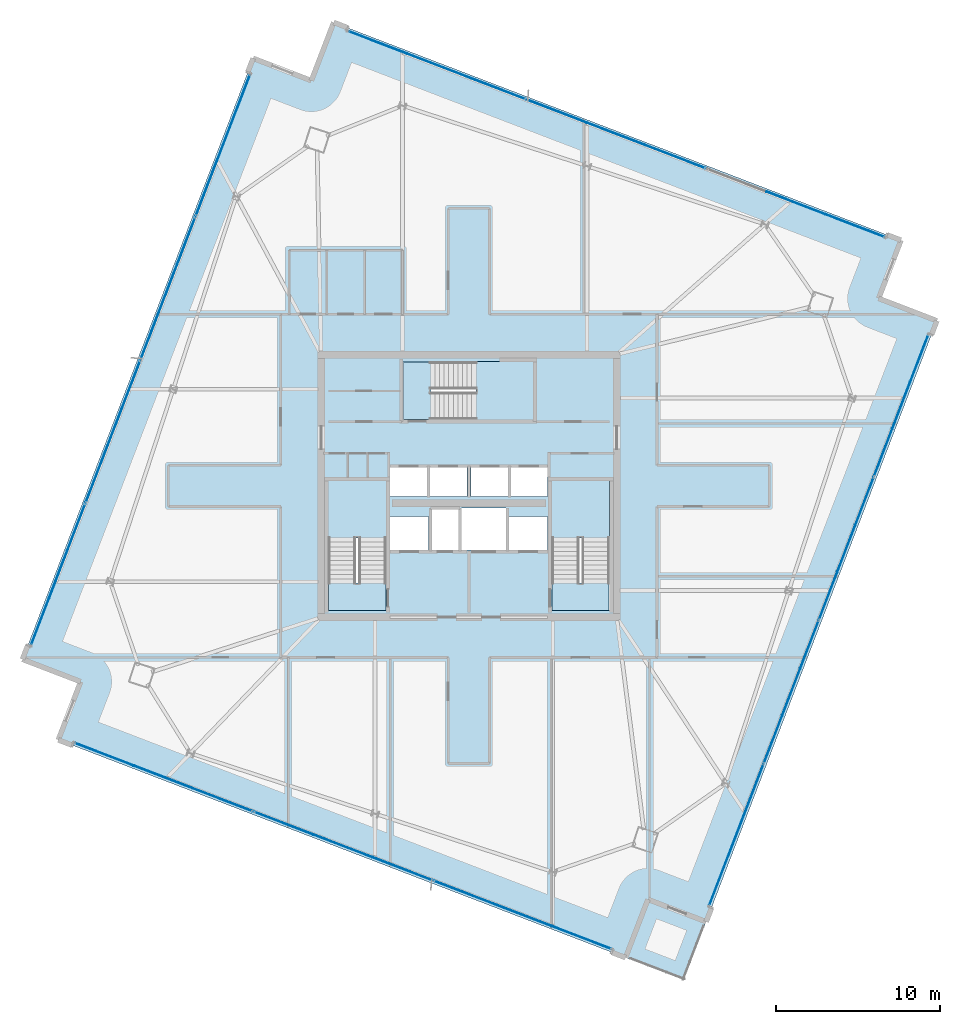
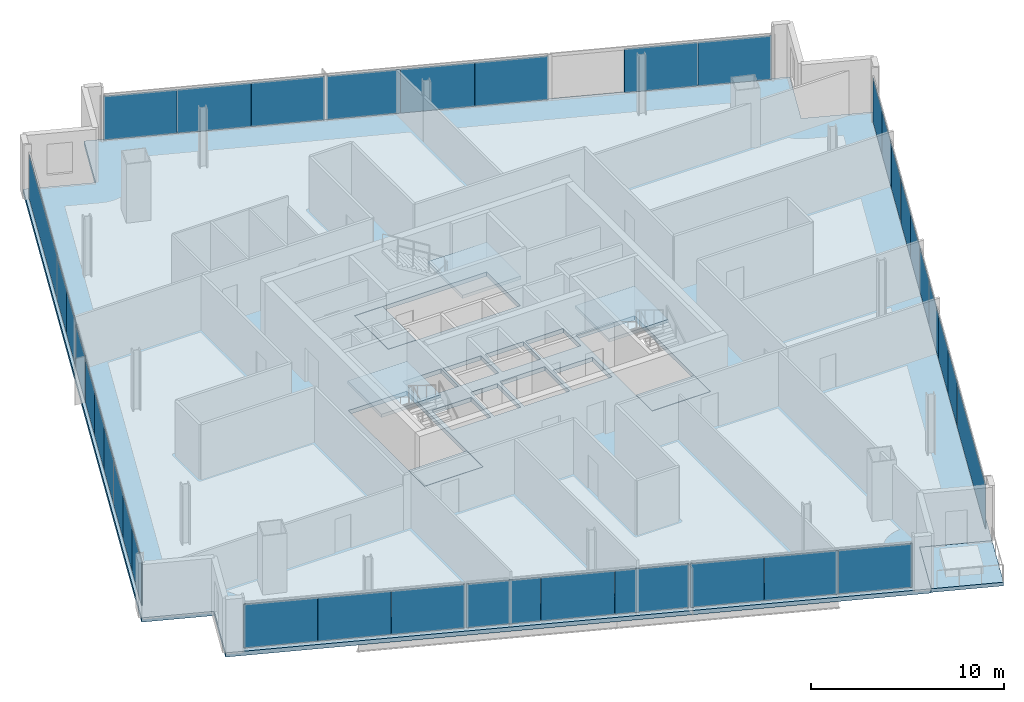
# One storey, part 18 of 27: 37 plates, 8 slabs, 7 elements without a shape of their own.
"""IFC4 building model written with IfcOpenShell, lengths in metres."""

from ifc_helpers import new_model, si_unit, direction, frame, origin, origin_2d, place, context, subcontext, project, spatial, polyline, rectangle, outline, extrude, source, transform, mapped, material, layer, layer_set, type_object, element, aggregate, save


model = new_model("IFC4")

# Units and contexts
model_context = context("Model", 3, precision=1e-05, world=origin(), true_north=direction((0.0, 1.0)))
body_context = subcontext(model_context, "Body", "Model", "MODEL_VIEW")
ifc_project = project(units=[si_unit("LENGTHUNIT", "METRE"), si_unit("AREAUNIT", "SQUARE_METRE"), si_unit("VOLUMEUNIT", "CUBIC_METRE"), si_unit("PLANEANGLEUNIT", "RADIAN"), si_unit("MASSUNIT", "GRAM", prefix="KILO")], contexts=[model_context])

# Site, building, storey
site_placement = place(None, origin())
site = spatial("IfcSite", under=ifc_project, at=site_placement, CompositionType="ELEMENT")
building_placement = place(site_placement, origin())
building = spatial("IfcBuilding", under=site, at=building_placement, Name="Haldenkirk Collegiate Tower", CompositionType="ELEMENT")
storey_placement = place(building_placement, frame((0.0, 0.0, 259.949951171875)))
storey = spatial("IfcBuildingStorey", under=building, at=storey_placement, Name="L65", CompositionType="ELEMENT", Elevation=259.949951171875)

# Slab
ifc_material_1 = material(Name="Concrete f'c 40 MPa", Category="concrete")
ifc_layer_1 = layer(ifc_material_1, 0.27001953125)
ifc_layer_set_1 = layer_set([ifc_layer_1], Name="Concrete f'c 40 MPa")
slab_type_1 = type_object("IfcSlabType", Name="SLB-FLR-270", PredefinedType="FLOOR", material=ifc_layer_set_1)
slab_1_placement = place(storey_placement, frame((0.0, 0.0, -0.27001953125)))
element("IfcSlab", 1, at=slab_1_placement, inside=storey, type_object=slab_type_1, Name="L65 composite structural floor slab", PredefinedType="FLOOR", context=body_context, shape_type="SweptSolid", body=[
    extrude(outline(polyline([(50.4482421875, -0.54052734375), (64.496337890625, 36.0556640625), (60.94873046875, 37.41748046875), (62.310546875, 40.965087890625), (27.76806640625, 54.224609375), (26.40625, 50.677001953125), (22.858642578125, 52.038818359375), (8.810791015625, 15.442626953125), (12.3583984375, 14.080810546875), (10.99658203125, 10.533203125), (45.538818359375, -2.726318359375), (46.900634765625, 0.8212890625), (50.4482421875, -0.54052734375)]), holes=[polyline([(27.449951171875, 18.39990234375), (30.949951171875, 18.39990234375), (30.949951171875, 26.300048828125), (27.449951171875, 26.300048828125), (27.449951171875, 18.39990234375)]), polyline([(41.050048828125, 18.39990234375), (44.550048828125, 18.39990234375), (44.550048828125, 26.300048828125), (41.050048828125, 26.300048828125), (41.050048828125, 18.39990234375)]), polyline([(32.0, 30.050048828125), (39.89990234375, 30.050048828125), (39.89990234375, 33.550048828125), (32.0, 33.550048828125), (32.0, 30.050048828125)]), polyline([(33.75, 22.10009765625), (35.35009765625, 22.10009765625), (35.35009765625, 24.550048828125), (33.75, 24.550048828125), (33.75, 22.10009765625)]), polyline([(31.199951171875, 25.35009765625), (33.47998046875, 25.35009765625), (33.47998046875, 27.14990234375), (31.199951171875, 27.14990234375), (31.199951171875, 25.35009765625)]), polyline([(33.60009765625, 25.35009765625), (35.8798828125, 25.35009765625), (35.8798828125, 27.14990234375), (33.60009765625, 27.14990234375), (33.60009765625, 25.35009765625)]), polyline([(36.1201171875, 25.35009765625), (38.39990234375, 25.35009765625), (38.39990234375, 27.14990234375), (36.1201171875, 27.14990234375), (36.1201171875, 25.35009765625)]), polyline([(38.52001953125, 25.35009765625), (40.800048828125, 25.35009765625), (40.800048828125, 27.14990234375), (38.52001953125, 27.14990234375), (38.52001953125, 25.35009765625)]), polyline([(31.199951171875, 22.10009765625), (33.550048828125, 22.10009765625), (33.550048828125, 24.14990234375), (31.199951171875, 24.14990234375), (31.199951171875, 22.10009765625)]), polyline([(38.449951171875, 22.10009765625), (40.800048828125, 22.10009765625), (40.800048828125, 24.14990234375), (38.449951171875, 24.14990234375), (38.449951171875, 22.10009765625)]), polyline([(35.550048828125, 22.10009765625), (38.25, 22.10009765625), (38.25, 24.64990234375), (35.550048828125, 24.64990234375), (35.550048828125, 22.10009765625)])]), origin(), (0.0, 0.0, 1.0), 0.27001953125),
])

# Stair, slab
stair_type = type_object("IfcStairType", Name="STR-DOGLEG-1650", PredefinedType="HALF_TURN_STAIR", material=ifc_material_1)
stair_1_placement = place(storey_placement, origin())
stair_1 = element("IfcStair", 2, at=stair_1_placement, inside=storey, type_object=stair_type, Name="L65 Core Exit Stair ST-1", PredefinedType="HALF_TURN_STAIR")
ifc_layer_2 = layer(ifc_material_1, 0.199951171875)
ifc_layer_set_2 = layer_set([ifc_layer_2], Name="Concrete f'c 40 MPa")
slab_type_2 = type_object("IfcSlabType", Name="SLB-LANDING-200", PredefinedType="LANDING", material=ifc_layer_set_2)
slab_2_placement = place(storey_placement, frame((0.0, 0.0, 1.675048828125)))
slab_2 = element("IfcSlab", 3, at=slab_2_placement, type_object=slab_type_2, Name="ST-1 landing 1", PredefinedType="LANDING", context=body_context, shape_type="SweptSolid", body=[
    extrude(outline(polyline([(30.97509765625, 22.824951171875), (27.425048828125, 22.824951171875), (27.425048828125, 26.324951171875), (30.97509765625, 26.324951171875), (30.97509765625, 22.824951171875)])), origin(), (0.0, 0.0, 1.0), 0.199951171875),
])
aggregate(stair_1, [slab_2])

stair_2_placement = place(storey_placement, origin())
stair_2 = element("IfcStair", 4, at=stair_2_placement, inside=storey, type_object=stair_type, Name="L65 Core Exit Stair ST-2", PredefinedType="HALF_TURN_STAIR")
slab_3_placement = place(storey_placement, frame((0.0, 0.0, 1.675048828125)))
slab_3 = element("IfcSlab", 5, at=slab_3_placement, type_object=slab_type_2, Name="ST-2 landing 1", PredefinedType="LANDING", context=body_context, shape_type="SweptSolid", body=[
    extrude(outline(polyline([(44.574951171875, 22.824951171875), (41.02490234375, 22.824951171875), (41.02490234375, 26.324951171875), (44.574951171875, 26.324951171875), (44.574951171875, 22.824951171875)])), origin(), (0.0, 0.0, 1.0), 0.199951171875),
])
aggregate(stair_2, [slab_3])

stair_3_placement = place(storey_placement, origin())
stair_3 = element("IfcStair", 6, at=stair_3_placement, inside=storey, type_object=stair_type, Name="L65 Core Exit Stair ST-3", PredefinedType="HALF_TURN_STAIR")
slab_4_placement = place(storey_placement, frame((0.0, 0.0, 1.675048828125)))
slab_4 = element("IfcSlab", 7, at=slab_4_placement, type_object=slab_type_2, Name="ST-3 landing 1", PredefinedType="LANDING", context=body_context, shape_type="SweptSolid", body=[
    extrude(outline(polyline([(36.425048828125, 30.02490234375), (36.425048828125, 33.574951171875), (39.925048828125, 33.574951171875), (39.925048828125, 30.02490234375), (36.425048828125, 30.02490234375)])), origin(), (0.0, 0.0, 1.0), 0.199951171875),
])
aggregate(stair_3, [slab_4])

# Slabs
ifc_layer_3 = layer(ifc_material_1, 0.25)
ifc_layer_set_3 = layer_set([ifc_layer_3], Name="Concrete f'c 40 MPa")
slab_type_3 = type_object("IfcSlabType", Name="SLB-STAIRLAND-250", PredefinedType="LANDING", material=ifc_layer_set_3)
slab_5_placement = place(storey_placement, frame((0.0, 0.0, -0.25)))
element("IfcSlab", 8, at=slab_5_placement, inside=storey, type_object=slab_type_3, Name="L65 stair ST1 structural floor landing slab", PredefinedType="LANDING", context=body_context, shape_type="SweptSolid", body=[
    extrude(outline(polyline([(27.4599609375, 18.409912109375), (30.93994140625, 18.409912109375), (30.93994140625, 20.080078125), (27.4599609375, 20.080078125), (27.4599609375, 18.409912109375)])), origin(), (0.0, 0.0, 1.0), 0.25),
])
slab_6_placement = place(storey_placement, frame((0.0, 0.0, -0.25)))
element("IfcSlab", 9, at=slab_6_placement, inside=storey, type_object=slab_type_3, Name="L65 stair ST2 structural floor landing slab", PredefinedType="LANDING", context=body_context, shape_type="SweptSolid", body=[
    extrude(outline(polyline([(41.06005859375, 18.409912109375), (44.5400390625, 18.409912109375), (44.5400390625, 20.080078125), (41.06005859375, 20.080078125), (41.06005859375, 18.409912109375)])), origin(), (0.0, 0.0, 1.0), 0.25),
])
slab_7_placement = place(storey_placement, frame((0.0, 0.0, -0.25)))
element("IfcSlab", 10, at=slab_7_placement, inside=storey, type_object=slab_type_3, Name="L65 stair ST3 structural floor landing slab", PredefinedType="LANDING", context=body_context, shape_type="SweptSolid", body=[
    extrude(outline(polyline([(32.010009765625, 30.06005859375), (33.679931640625, 30.06005859375), (33.679931640625, 33.5400390625), (32.010009765625, 33.5400390625), (32.010009765625, 30.06005859375)])), origin(), (0.0, 0.0, 1.0), 0.25),
])
ifc_layer_4 = layer(ifc_material_1, 0.22998046875)
ifc_layer_set_4 = layer_set([ifc_layer_4], Name="Concrete f'c 40 MPa")
slab_type_4 = type_object("IfcSlabType", Name="SLB-TERR-SPIRAL-230", PredefinedType="FLOOR", material=ifc_layer_set_4)
slab_8_placement = place(storey_placement, frame((0.0, 0.0, -0.22998046875)))
element("IfcSlab", 11, at=slab_8_placement, inside=storey, type_object=slab_type_4, Name="L65 spiralling corner terrace slab", PredefinedType="FLOOR", context=body_context, shape_type="SweptSolid", body=[
    extrude(outline(polyline([(49.08642578125, -4.088134765625), (50.4482421875, -0.54052734375), (46.900634765625, 0.8212890625), (45.538818359375, -2.726318359375), (49.08642578125, -4.088134765625)])), origin(), (0.0, 0.0, 1.0), 0.22998046875),
])

# Curtain wall, plates
ifc_material_2 = material(Name="Anodised architectural bronze aluminium", Category="aluminium")
curtain_wall_type_1 = type_object("IfcCurtainWallType", Name="CW-SYS2-CONCAVE", PredefinedType="USERDEFINED", material=ifc_material_2)
curtain_wall_1_placement = place(storey_placement, origin())
curtain_wall_1 = element("IfcCurtainWall", 12, at=curtain_wall_1_placement, inside=storey, type_object=curtain_wall_type_1, Name="L65 South concave recessed bronze-anodised curtain wall", ObjectType="UNITISED CURTAIN WALL", PredefinedType="USERDEFINED")
ifc_material_3 = material(Name="Low-E argon triple insulating glass", Category="glass")
ifc_layer_5 = layer(ifc_material_3, 0.0419921875)
ifc_layer_set_5 = layer_set([ifc_layer_5], Name="Low-E argon triple insulating glass")
plate_type_1 = type_object("IfcPlateType", Name="CW-PNL-02", PredefinedType="CURTAIN_PANEL", material=ifc_layer_set_5)
shared_shape_1 = source(origin(), body_context, "Body", "SweptSolid", [
    extrude(rectangle(XDim=9.237548828125, YDim=0.0419921875, at=origin_2d()), origin(), (0.0, 0.0, 1.0), 2.7880859375),
])
plate_1_placement = place(storey_placement, frame((52.284912109375, 4.74609375, 0.074951171875), z_axis=(0.0, 0.0, 1.0), x_axis=(-0.358371252641, -0.933579158551, 0.0)))
plate_1 = element("IfcPlate", 13, at=plate_1_placement, type_object=plate_type_1, Name="CW-02 panel 4.1", PredefinedType="CURTAIN_PANEL", context=body_context, shape_type="MappedRepresentation", body=[
    mapped(shared_shape_1, transform((0.0, 0.0, 0.0), x_axis=(1.0, 0.0, 0.0), y_axis=(0.0, 1.0, 0.0), z_axis=(0.0, 0.0, 1.0), scale=1.0)),
])
ifc_material_4 = material(Name="Bronze-anodised insulated aluminium spandrel panel", Category="aluminium")
ifc_layer_6 = layer(ifc_material_4, 0.0419921875)
ifc_layer_set_6 = layer_set([ifc_layer_6], Name="Bronze-anodised insulated aluminium spandrel panel")
plate_type_2 = type_object("IfcPlateType", Name="CW-SPD-02", PredefinedType="CURTAIN_PANEL", material=ifc_layer_set_6)
shared_shape_2 = source(origin(), body_context, "Body", "SweptSolid", [
    extrude(rectangle(XDim=3.0791015625, YDim=0.0419921875, at=origin_2d()), origin(), (0.0, 0.0, 1.0), 2.7880859375),
])
plate_2_placement = place(storey_placement, frame((60.08984375, 25.07861328125, 0.074951171875), z_axis=(0.0, 0.0, 1.0), x_axis=(-0.358371252641, -0.933579158551, 0.0)))
plate_2 = element("IfcPlate", 14, at=plate_2_placement, type_object=plate_type_2, Name="CW-02 spandrel panel 2.1a", PredefinedType="CURTAIN_PANEL", context=body_context, shape_type="MappedRepresentation", body=[
    mapped(shared_shape_2, transform((0.0, 0.0, 0.0), x_axis=(1.0, 0.0, 0.0), y_axis=(0.0, 1.0, 0.0), z_axis=(0.0, 0.0, 1.0), scale=1.0)),
])
plate_3_placement = place(storey_placement, frame((57.869384765625, 19.29443359375, 0.074951171875), z_axis=(0.0, 0.0, 1.0), x_axis=(-0.358371252641, -0.933579158551, 0.0)))
plate_3 = element("IfcPlate", 15, at=plate_3_placement, type_object=plate_type_1, Name="CW-02 panel 2.1c", PredefinedType="CURTAIN_PANEL", context=body_context, shape_type="MappedRepresentation", body=[
    mapped(shared_shape_2, transform((0.0, 0.0, 0.0), x_axis=(1.0, 0.0, 0.0), y_axis=(0.0, 1.0, 0.0), z_axis=(0.0, 0.0, 1.0), scale=1.0)),
])
plate_4_placement = place(storey_placement, frame((56.7392578125, 16.349609375, 0.074951171875), z_axis=(0.0, 0.0, 1.0), x_axis=(-0.358371252641, -0.933579158551, 0.0)))
plate_4 = element("IfcPlate", 16, at=plate_4_placement, type_object=plate_type_2, Name="CW-02 spandrel panel 3.1a", PredefinedType="CURTAIN_PANEL", context=body_context, shape_type="MappedRepresentation", body=[
    mapped(shared_shape_2, transform((0.0, 0.0, 0.0), x_axis=(1.0, 0.0, 0.0), y_axis=(0.0, 1.0, 0.0), z_axis=(0.0, 0.0, 1.0), scale=1.0)),
])
plate_5_placement = place(storey_placement, frame((54.518798828125, 10.5654296875, 0.074951171875), z_axis=(0.0, 0.0, 1.0), x_axis=(-0.358371252641, -0.933579158551, 0.0)))
plate_5 = element("IfcPlate", 17, at=plate_5_placement, type_object=plate_type_2, Name="CW-02 spandrel panel 3.1c", PredefinedType="CURTAIN_PANEL", context=body_context, shape_type="MappedRepresentation", body=[
    mapped(shared_shape_2, transform((0.0, 0.0, 0.0), x_axis=(1.0, 0.0, 0.0), y_axis=(0.0, 1.0, 0.0), z_axis=(0.0, 0.0, 1.0), scale=1.0)),
])
shared_shape_3 = source(origin(), body_context, "Body", "SweptSolid", [
    extrude(rectangle(XDim=3.066650390625, YDim=0.0419921875, at=origin_2d()), origin(), (0.0, 0.0, 1.0), 2.7880859375),
])
plate_6_placement = place(storey_placement, frame((63.429443359375, 33.778564453125, 0.074951171875), z_axis=(0.0, 0.0, 1.0), x_axis=(-0.358371252641, -0.933579158551, 0.0)))
plate_6 = element("IfcPlate", 18, at=plate_6_placement, type_object=plate_type_1, Name="CW-02 panel 1.1a", PredefinedType="CURTAIN_PANEL", context=body_context, shape_type="MappedRepresentation", body=[
    mapped(shared_shape_3, transform((0.0, 0.0, 0.0), x_axis=(1.0, 0.0, 0.0), y_axis=(0.0, 1.0, 0.0), z_axis=(0.0, 0.0, 1.0), scale=1.0)),
])
plate_7_placement = place(storey_placement, frame((61.218017578125, 28.017578125, 0.074951171875), z_axis=(0.0, 0.0, 1.0), x_axis=(-0.358371252641, -0.933579158551, 0.0)))
plate_7 = element("IfcPlate", 19, at=plate_7_placement, type_object=plate_type_2, Name="CW-02 spandrel panel 1.1c", PredefinedType="CURTAIN_PANEL", context=body_context, shape_type="MappedRepresentation", body=[
    mapped(shared_shape_3, transform((0.0, 0.0, 0.0), x_axis=(1.0, 0.0, 0.0), y_axis=(0.0, 1.0, 0.0), z_axis=(0.0, 0.0, 1.0), scale=1.0)),
])
plate_8_placement = place(storey_placement, frame((58.979736328125, 22.1865234375, 0.074951171875), z_axis=(0.0, 0.0, 1.0), x_axis=(-0.358371252641, -0.933579158551, 0.0)))
plate_8 = element("IfcPlate", 20, at=plate_8_placement, type_object=plate_type_2, Name="CW-02 spandrel panel 2.1b", PredefinedType="CURTAIN_PANEL", context=body_context, shape_type="MappedRepresentation", body=[
    mapped(shared_shape_3, transform((0.0, 0.0, 0.0), x_axis=(1.0, 0.0, 0.0), y_axis=(0.0, 1.0, 0.0), z_axis=(0.0, 0.0, 1.0), scale=1.0)),
])
plate_9_placement = place(storey_placement, frame((55.62890625, 13.45751953125, 0.074951171875), z_axis=(0.0, 0.0, 1.0), x_axis=(-0.358371252641, -0.933579158551, 0.0)))
plate_9 = element("IfcPlate", 21, at=plate_9_placement, type_object=plate_type_2, Name="CW-02 spandrel panel 3.1b", PredefinedType="CURTAIN_PANEL", context=body_context, shape_type="MappedRepresentation", body=[
    mapped(shared_shape_3, transform((0.0, 0.0, 0.0), x_axis=(1.0, 0.0, 0.0), y_axis=(0.0, 1.0, 0.0), z_axis=(0.0, 0.0, 1.0), scale=1.0)),
])

curtain_wall_type_2 = type_object("IfcCurtainWallType", Name="CW-SYS1B-CONVEX-HI", PredefinedType="USERDEFINED", material=ifc_material_2)
curtain_wall_2_placement = place(storey_placement, origin())
curtain_wall_2 = element("IfcCurtainWall", 22, at=curtain_wall_2_placement, inside=storey, type_object=curtain_wall_type_2, Name="L65 Upper tower high-wind convex bronze unitised curtain wall", ObjectType="UNITISED CURTAIN WALL", PredefinedType="USERDEFINED")
ifc_layer_7 = layer(ifc_material_4, 0.048095703125)
ifc_layer_set_7 = layer_set([ifc_layer_7], Name="Bronze-anodised insulated aluminium spandrel panel")
plate_type_3 = type_object("IfcPlateType", Name="CW-SPD-1B", PredefinedType="CURTAIN_PANEL", material=ifc_layer_set_7)
shared_shape_4 = source(origin(), body_context, "Body", "SweptSolid", [
    extrude(rectangle(XDim=3.870361328125, YDim=0.048095703125, at=origin_2d()), origin(), (0.0, 0.0, 1.0), 2.76806640625),
])
plate_10_placement = place(storey_placement, frame((41.343994140625, 48.820556640625, 0.0849609375), z_axis=(0.0, 0.0, 1.0), x_axis=(0.933580220298, -0.358368486711, 0.0)))
plate_10 = element("IfcPlate", 23, at=plate_10_placement, type_object=plate_type_3, Name="CW-1B spandrel panel 2.1a", PredefinedType="CURTAIN_PANEL", context=body_context, shape_type="MappedRepresentation", body=[
    mapped(shared_shape_4, transform((0.0, 0.0, 0.0), x_axis=(1.0, 0.0, 0.0), y_axis=(0.0, 1.0, 0.0), z_axis=(0.0, 0.0, 1.0), scale=1.0)),
])
plate_11_placement = place(storey_placement, frame((48.605712890625, 46.033203125, 0.0849609375), z_axis=(0.0, 0.0, 1.0), x_axis=(0.933580220298, -0.358368486711, 0.0)))
plate_11 = element("IfcPlate", 24, at=plate_11_placement, type_object=plate_type_3, Name="CW-1B spandrel panel 2.1c", PredefinedType="CURTAIN_PANEL", context=body_context, shape_type="MappedRepresentation", body=[
    mapped(shared_shape_4, transform((0.0, 0.0, 0.0), x_axis=(1.0, 0.0, 0.0), y_axis=(0.0, 1.0, 0.0), z_axis=(0.0, 0.0, 1.0), scale=1.0)),
])

curtain_wall_3_placement = place(storey_placement, origin())
curtain_wall_3 = element("IfcCurtainWall", 25, at=curtain_wall_3_placement, inside=storey, type_object=curtain_wall_type_2, Name="L65 Upper tower high-wind convex bronze unitised curtain wall", ObjectType="UNITISED CURTAIN WALL", PredefinedType="USERDEFINED")
plate_12_placement = place(storey_placement, frame((31.962890625, 2.677734375, 0.0849609375), z_axis=(0.0, 0.0, 1.0), x_axis=(-0.933579855448, 0.358369437176, 0.0)))
plate_12 = element("IfcPlate", 26, at=plate_12_placement, type_object=plate_type_3, Name="CW-1B spandrel panel 2.1a", PredefinedType="CURTAIN_PANEL", context=body_context, shape_type="MappedRepresentation", body=[
    mapped(shared_shape_4, transform((0.0, 0.0, 0.0), x_axis=(1.0, 0.0, 0.0), y_axis=(0.0, 1.0, 0.0), z_axis=(0.0, 0.0, 1.0), scale=1.0)),
])
plate_13_placement = place(storey_placement, frame((24.701416015625, 5.465087890625, 0.0849609375), z_axis=(0.0, 0.0, 1.0), x_axis=(-0.933579855448, 0.358369437176, 0.0)))
plate_13 = element("IfcPlate", 27, at=plate_13_placement, type_object=plate_type_3, Name="CW-1B spandrel panel 2.1c", PredefinedType="CURTAIN_PANEL", context=body_context, shape_type="MappedRepresentation", body=[
    mapped(shared_shape_4, transform((0.0, 0.0, 0.0), x_axis=(1.0, 0.0, 0.0), y_axis=(0.0, 1.0, 0.0), z_axis=(0.0, 0.0, 1.0), scale=1.0)),
])

# Plate
ifc_layer_8 = layer(ifc_material_3, 0.048095703125)
ifc_layer_set_8 = layer_set([ifc_layer_8], Name="Low-E argon triple insulating glass")
plate_type_4 = type_object("IfcPlateType", Name="CW-PNL-1B", PredefinedType="CURTAIN_PANEL", material=ifc_layer_set_8)
shared_shape_5 = source(origin(), body_context, "Body", "SweptSolid", [
    extrude(rectangle(XDim=3.85791015625, YDim=0.048095703125, at=origin_2d()), origin(), (0.0, 0.0, 1.0), 2.76806640625),
])
plate_14_placement = place(storey_placement, frame((44.974853515625, 47.427001953125, 0.0849609375), z_axis=(0.0, 0.0, 1.0), x_axis=(0.933580220298, -0.358368486711, 0.0)))
plate_14 = element("IfcPlate", 28, at=plate_14_placement, type_object=plate_type_4, Name="CW-1B panel 2.1b", PredefinedType="CURTAIN_PANEL", context=body_context, shape_type="MappedRepresentation", body=[
    mapped(shared_shape_5, transform((0.0, 0.0, 0.0), x_axis=(1.0, 0.0, 0.0), y_axis=(0.0, 1.0, 0.0), z_axis=(0.0, 0.0, 1.0), scale=1.0)),
])

plate_15_placement = place(storey_placement, frame((28.332275390625, 4.0712890625, 0.0849609375), z_axis=(0.0, 0.0, 1.0), x_axis=(-0.933579855448, 0.358369437176, 0.0)))
plate_15 = element("IfcPlate", 29, at=plate_15_placement, type_object=plate_type_4, Name="CW-1B panel 2.1b", PredefinedType="CURTAIN_PANEL", context=body_context, shape_type="MappedRepresentation", body=[
    mapped(shared_shape_5, transform((0.0, 0.0, 0.0), x_axis=(1.0, 0.0, 0.0), y_axis=(0.0, 1.0, 0.0), z_axis=(0.0, 0.0, 1.0), scale=1.0)),
])

# Curtain wall, plates
curtain_wall_4_placement = place(storey_placement, origin())
curtain_wall_4 = element("IfcCurtainWall", 30, at=curtain_wall_4_placement, inside=storey, type_object=curtain_wall_type_2, Name="L65 Upper tower high-wind convex bronze unitised curtain wall", ObjectType="UNITISED CURTAIN WALL", PredefinedType="USERDEFINED")
shared_shape_6 = source(origin(), body_context, "Body", "SweptSolid", [
    extrude(rectangle(XDim=9.222412109375, YDim=0.048095703125, at=origin_2d()), origin(), (0.0, 0.0, 1.0), 2.76806640625),
])
plate_16_placement = place(storey_placement, frame((21.021240234375, 46.749755859375, 0.0849609375), z_axis=(0.0, 0.0, 1.0), x_axis=(0.358368922235, 0.933580053116, 0.0)))
plate_16 = element("IfcPlate", 31, at=plate_16_placement, type_object=plate_type_4, Name="CW-1B panel 4.1", PredefinedType="CURTAIN_PANEL", context=body_context, shape_type="MappedRepresentation", body=[
    mapped(shared_shape_6, transform((0.0, 0.0, 0.0), x_axis=(1.0, 0.0, 0.0), y_axis=(0.0, 1.0, 0.0), z_axis=(0.0, 0.0, 1.0), scale=1.0)),
])
shared_shape_7 = source(origin(), body_context, "Body", "SweptSolid", [
    extrude(rectangle(XDim=3.07568359375, YDim=0.048095703125, at=origin_2d()), origin(), (0.0, 0.0, 1.0), 2.76806640625),
])
plate_17_placement = place(storey_placement, frame((13.21826171875, 26.422607421875, 0.0849609375), z_axis=(0.0, 0.0, 1.0), x_axis=(0.358368922235, 0.933580053116, 0.0)))
plate_17 = element("IfcPlate", 32, at=plate_17_placement, type_object=plate_type_3, Name="CW-1B spandrel panel 2.1a", PredefinedType="CURTAIN_PANEL", context=body_context, shape_type="MappedRepresentation", body=[
    mapped(shared_shape_7, transform((0.0, 0.0, 0.0), x_axis=(1.0, 0.0, 0.0), y_axis=(0.0, 1.0, 0.0), z_axis=(0.0, 0.0, 1.0), scale=1.0)),
])
plate_18_placement = place(storey_placement, frame((15.436279296875, 32.20068359375, 0.0849609375), z_axis=(0.0, 0.0, 1.0), x_axis=(0.358368922235, 0.933580053116, 0.0)))
plate_18 = element("IfcPlate", 33, at=plate_18_placement, type_object=plate_type_4, Name="CW-1B panel 2.1c", PredefinedType="CURTAIN_PANEL", context=body_context, shape_type="MappedRepresentation", body=[
    mapped(shared_shape_7, transform((0.0, 0.0, 0.0), x_axis=(1.0, 0.0, 0.0), y_axis=(0.0, 1.0, 0.0), z_axis=(0.0, 0.0, 1.0), scale=1.0)),
])
plate_19_placement = place(storey_placement, frame((16.569091796875, 35.151611328125, 0.0849609375), z_axis=(0.0, 0.0, 1.0), x_axis=(0.358368922235, 0.933580053116, 0.0)))
plate_19 = element("IfcPlate", 34, at=plate_19_placement, type_object=plate_type_4, Name="CW-1B panel 3.1a", PredefinedType="CURTAIN_PANEL", context=body_context, shape_type="MappedRepresentation", body=[
    mapped(shared_shape_7, transform((0.0, 0.0, 0.0), x_axis=(1.0, 0.0, 0.0), y_axis=(0.0, 1.0, 0.0), z_axis=(0.0, 0.0, 1.0), scale=1.0)),
])
plate_20_placement = place(storey_placement, frame((18.787109375, 40.9296875, 0.0849609375), z_axis=(0.0, 0.0, 1.0), x_axis=(0.358368922235, 0.933580053116, 0.0)))
plate_20 = element("IfcPlate", 35, at=plate_20_placement, type_object=plate_type_3, Name="CW-1B spandrel panel 3.1c", PredefinedType="CURTAIN_PANEL", context=body_context, shape_type="MappedRepresentation", body=[
    mapped(shared_shape_7, transform((0.0, 0.0, 0.0), x_axis=(1.0, 0.0, 0.0), y_axis=(0.0, 1.0, 0.0), z_axis=(0.0, 0.0, 1.0), scale=1.0)),
])
shared_shape_8 = source(origin(), body_context, "Body", "SweptSolid", [
    extrude(rectangle(XDim=3.063232421875, YDim=0.048095703125, at=origin_2d()), origin(), (0.0, 0.0, 1.0), 2.76806640625),
])
plate_21_placement = place(storey_placement, frame((14.327392578125, 29.311767578125, 0.0849609375), z_axis=(0.0, 0.0, 1.0), x_axis=(0.358368922235, 0.933580053116, 0.0)))
plate_21 = element("IfcPlate", 36, at=plate_21_placement, type_object=plate_type_3, Name="CW-1B spandrel panel 2.1b", PredefinedType="CURTAIN_PANEL", context=body_context, shape_type="MappedRepresentation", body=[
    mapped(shared_shape_8, transform((0.0, 0.0, 0.0), x_axis=(1.0, 0.0, 0.0), y_axis=(0.0, 1.0, 0.0), z_axis=(0.0, 0.0, 1.0), scale=1.0)),
])
plate_22_placement = place(storey_placement, frame((17.677978515625, 38.040771484375, 0.0849609375), z_axis=(0.0, 0.0, 1.0), x_axis=(0.358368922235, 0.933580053116, 0.0)))
plate_22 = element("IfcPlate", 37, at=plate_22_placement, type_object=plate_type_3, Name="CW-1B spandrel panel 3.1b", PredefinedType="CURTAIN_PANEL", context=body_context, shape_type="MappedRepresentation", body=[
    mapped(shared_shape_8, transform((0.0, 0.0, 0.0), x_axis=(1.0, 0.0, 0.0), y_axis=(0.0, 1.0, 0.0), z_axis=(0.0, 0.0, 1.0), scale=1.0)),
])

# Plate
shared_shape_9 = source(origin(), body_context, "Body", "SweptSolid", [
    extrude(rectangle(XDim=3.05419921875, YDim=0.0419921875, at=origin_2d()), origin(), (0.0, 0.0, 1.0), 2.7880859375),
])
plate_23_placement = place(storey_placement, frame((62.32373046875, 30.89794921875, 0.074951171875), z_axis=(0.0, 0.0, 1.0), x_axis=(-0.358371252641, -0.933579158551, 0.0)))
plate_23 = element("IfcPlate", 38, at=plate_23_placement, type_object=plate_type_1, Name="CW-02 panel 1.1b", PredefinedType="CURTAIN_PANEL", context=body_context, shape_type="MappedRepresentation", body=[
    mapped(shared_shape_9, transform((0.0, 0.0, 0.0), x_axis=(1.0, 0.0, 0.0), y_axis=(0.0, 1.0, 0.0), z_axis=(0.0, 0.0, 1.0), scale=1.0)),
])

aggregate(curtain_wall_1, [plate_6, plate_23, plate_7, plate_2, plate_8, plate_3, plate_4, plate_9, plate_5, plate_1])

shared_shape_10 = source(origin(), body_context, "Body", "SweptSolid", [
    extrude(rectangle(XDim=3.856201171875, YDim=0.048095703125, at=origin_2d()), origin(), (0.0, 0.0, 1.0), 2.76806640625),
])
plate_24_placement = place(storey_placement, frame((30.423095703125, 53.0126953125, 0.0849609375), z_axis=(0.0, 0.0, 1.0), x_axis=(0.933580220298, -0.358368486711, 0.0)))
plate_24 = element("IfcPlate", 39, at=plate_24_placement, type_object=plate_type_4, Name="CW-1B panel 1.1a", PredefinedType="CURTAIN_PANEL", context=body_context, shape_type="MappedRepresentation", body=[
    mapped(shared_shape_10, transform((0.0, 0.0, 0.0), x_axis=(1.0, 0.0, 0.0), y_axis=(0.0, 1.0, 0.0), z_axis=(0.0, 0.0, 1.0), scale=1.0)),
])

plate_25_placement = place(storey_placement, frame((37.658203125, 50.235595703125, 0.0849609375), z_axis=(0.0, 0.0, 1.0), x_axis=(0.933580220298, -0.358368486711, 0.0)))
plate_25 = element("IfcPlate", 40, at=plate_25_placement, type_object=plate_type_3, Name="CW-1B spandrel panel 1.1c", PredefinedType="CURTAIN_PANEL", context=body_context, shape_type="MappedRepresentation", body=[
    mapped(shared_shape_10, transform((0.0, 0.0, 0.0), x_axis=(1.0, 0.0, 0.0), y_axis=(0.0, 1.0, 0.0), z_axis=(0.0, 0.0, 1.0), scale=1.0)),
])

plate_26_placement = place(storey_placement, frame((59.526611328125, 41.841064453125, 0.0849609375), z_axis=(0.0, 0.0, 1.0), x_axis=(0.933580220298, -0.358368486711, 0.0)))
plate_26 = element("IfcPlate", 41, at=plate_26_placement, type_object=plate_type_4, Name="CW-1B panel 3.1c", PredefinedType="CURTAIN_PANEL", context=body_context, shape_type="MappedRepresentation", body=[
    mapped(shared_shape_10, transform((0.0, 0.0, 0.0), x_axis=(1.0, 0.0, 0.0), y_axis=(0.0, 1.0, 0.0), z_axis=(0.0, 0.0, 1.0), scale=1.0)),
])

plate_27_placement = place(storey_placement, frame((42.8837890625, -1.514404296875, 0.0849609375), z_axis=(0.0, 0.0, 1.0), x_axis=(-0.933579855448, 0.358369437176, 0.0)))
plate_27 = element("IfcPlate", 42, at=plate_27_placement, type_object=plate_type_4, Name="CW-1B panel 1.1a", PredefinedType="CURTAIN_PANEL", context=body_context, shape_type="MappedRepresentation", body=[
    mapped(shared_shape_10, transform((0.0, 0.0, 0.0), x_axis=(1.0, 0.0, 0.0), y_axis=(0.0, 1.0, 0.0), z_axis=(0.0, 0.0, 1.0), scale=1.0)),
])

plate_28_placement = place(storey_placement, frame((35.64892578125, 1.2626953125, 0.0849609375), z_axis=(0.0, 0.0, 1.0), x_axis=(-0.933579855448, 0.358369437176, 0.0)))
plate_28 = element("IfcPlate", 43, at=plate_28_placement, type_object=plate_type_3, Name="CW-1B spandrel panel 1.1c", PredefinedType="CURTAIN_PANEL", context=body_context, shape_type="MappedRepresentation", body=[
    mapped(shared_shape_10, transform((0.0, 0.0, 0.0), x_axis=(1.0, 0.0, 0.0), y_axis=(0.0, 1.0, 0.0), z_axis=(0.0, 0.0, 1.0), scale=1.0)),
])

plate_29_placement = place(storey_placement, frame((21.015380859375, 6.8798828125, 0.0849609375), z_axis=(0.0, 0.0, 1.0), x_axis=(-0.933579855448, 0.358369437176, 0.0)))
plate_29 = element("IfcPlate", 44, at=plate_29_placement, type_object=plate_type_3, Name="CW-1B spandrel panel 3.1a", PredefinedType="CURTAIN_PANEL", context=body_context, shape_type="MappedRepresentation", body=[
    mapped(shared_shape_10, transform((0.0, 0.0, 0.0), x_axis=(1.0, 0.0, 0.0), y_axis=(0.0, 1.0, 0.0), z_axis=(0.0, 0.0, 1.0), scale=1.0)),
])

plate_30_placement = place(storey_placement, frame((13.780517578125, 9.6572265625, 0.0849609375), z_axis=(0.0, 0.0, 1.0), x_axis=(-0.933579855448, 0.358369437176, 0.0)))
plate_30 = element("IfcPlate", 45, at=plate_30_placement, type_object=plate_type_4, Name="CW-1B panel 3.1c", PredefinedType="CURTAIN_PANEL", context=body_context, shape_type="MappedRepresentation", body=[
    mapped(shared_shape_10, transform((0.0, 0.0, 0.0), x_axis=(1.0, 0.0, 0.0), y_axis=(0.0, 1.0, 0.0), z_axis=(0.0, 0.0, 1.0), scale=1.0)),
])

shared_shape_11 = source(origin(), body_context, "Body", "SweptSolid", [
    extrude(rectangle(XDim=3.843505859375, YDim=0.048095703125, at=origin_2d()), origin(), (0.0, 0.0, 1.0), 2.76806640625),
])
plate_31_placement = place(storey_placement, frame((34.040771484375, 51.624267578125, 0.0849609375), z_axis=(0.0, 0.0, 1.0), x_axis=(0.933580220298, -0.358368486711, 0.0)))
plate_31 = element("IfcPlate", 46, at=plate_31_placement, type_object=plate_type_4, Name="CW-1B panel 1.1b", PredefinedType="CURTAIN_PANEL", context=body_context, shape_type="MappedRepresentation", body=[
    mapped(shared_shape_11, transform((0.0, 0.0, 0.0), x_axis=(1.0, 0.0, 0.0), y_axis=(0.0, 1.0, 0.0), z_axis=(0.0, 0.0, 1.0), scale=1.0)),
])

plate_32_placement = place(storey_placement, frame((55.908935546875, 43.2294921875, 0.0849609375), z_axis=(0.0, 0.0, 1.0), x_axis=(0.933580220298, -0.358368486711, 0.0)))
plate_32 = element("IfcPlate", 47, at=plate_32_placement, type_object=plate_type_4, Name="CW-1B panel 3.1b", PredefinedType="CURTAIN_PANEL", context=body_context, shape_type="MappedRepresentation", body=[
    mapped(shared_shape_11, transform((0.0, 0.0, 0.0), x_axis=(1.0, 0.0, 0.0), y_axis=(0.0, 1.0, 0.0), z_axis=(0.0, 0.0, 1.0), scale=1.0)),
])

aggregate(curtain_wall_2, [plate_24, plate_31, plate_25, plate_10, plate_14, plate_11, plate_32, plate_26])

plate_33_placement = place(storey_placement, frame((39.266357421875, -0.1259765625, 0.0849609375), z_axis=(0.0, 0.0, 1.0), x_axis=(-0.933579855448, 0.358369437176, 0.0)))
plate_33 = element("IfcPlate", 48, at=plate_33_placement, type_object=plate_type_4, Name="CW-1B panel 1.1b", PredefinedType="CURTAIN_PANEL", context=body_context, shape_type="MappedRepresentation", body=[
    mapped(shared_shape_11, transform((0.0, 0.0, 0.0), x_axis=(1.0, 0.0, 0.0), y_axis=(0.0, 1.0, 0.0), z_axis=(0.0, 0.0, 1.0), scale=1.0)),
])

plate_34_placement = place(storey_placement, frame((17.39794921875, 8.268798828125, 0.0849609375), z_axis=(0.0, 0.0, 1.0), x_axis=(-0.933579855448, 0.358369437176, 0.0)))
plate_34 = element("IfcPlate", 49, at=plate_34_placement, type_object=plate_type_4, Name="CW-1B panel 3.1b", PredefinedType="CURTAIN_PANEL", context=body_context, shape_type="MappedRepresentation", body=[
    mapped(shared_shape_11, transform((0.0, 0.0, 0.0), x_axis=(1.0, 0.0, 0.0), y_axis=(0.0, 1.0, 0.0), z_axis=(0.0, 0.0, 1.0), scale=1.0)),
])

aggregate(curtain_wall_3, [plate_27, plate_33, plate_28, plate_12, plate_15, plate_13, plate_29, plate_34, plate_30])

shared_shape_12 = source(origin(), body_context, "Body", "SweptSolid", [
    extrude(rectangle(XDim=3.061767578125, YDim=0.048095703125, at=origin_2d()), origin(), (0.0, 0.0, 1.0), 2.76806640625),
])
plate_35_placement = place(storey_placement, frame((9.88037109375, 17.726806640625, 0.0849609375), z_axis=(0.0, 0.0, 1.0), x_axis=(0.358368922235, 0.933580053116, 0.0)))
plate_35 = element("IfcPlate", 50, at=plate_35_placement, type_object=plate_type_4, Name="CW-1B panel 1.1a", PredefinedType="CURTAIN_PANEL", context=body_context, shape_type="MappedRepresentation", body=[
    mapped(shared_shape_12, transform((0.0, 0.0, 0.0), x_axis=(1.0, 0.0, 0.0), y_axis=(0.0, 1.0, 0.0), z_axis=(0.0, 0.0, 1.0), scale=1.0)),
])

plate_36_placement = place(storey_placement, frame((12.088134765625, 23.478515625, 0.0849609375), z_axis=(0.0, 0.0, 1.0), x_axis=(0.358368922235, 0.933580053116, 0.0)))
plate_36 = element("IfcPlate", 51, at=plate_36_placement, type_object=plate_type_3, Name="CW-1B spandrel panel 1.1c", PredefinedType="CURTAIN_PANEL", context=body_context, shape_type="MappedRepresentation", body=[
    mapped(shared_shape_12, transform((0.0, 0.0, 0.0), x_axis=(1.0, 0.0, 0.0), y_axis=(0.0, 1.0, 0.0), z_axis=(0.0, 0.0, 1.0), scale=1.0)),
])

shared_shape_13 = source(origin(), body_context, "Body", "SweptSolid", [
    extrude(rectangle(XDim=3.04931640625, YDim=0.048095703125, at=origin_2d()), origin(), (0.0, 0.0, 1.0), 2.76806640625),
])
plate_37_placement = place(storey_placement, frame((10.984130859375, 20.6025390625, 0.0849609375), z_axis=(0.0, 0.0, 1.0), x_axis=(0.358368922235, 0.933580053116, 0.0)))
plate_37 = element("IfcPlate", 52, at=plate_37_placement, type_object=plate_type_4, Name="CW-1B panel 1.1b", PredefinedType="CURTAIN_PANEL", context=body_context, shape_type="MappedRepresentation", body=[
    mapped(shared_shape_13, transform((0.0, 0.0, 0.0), x_axis=(1.0, 0.0, 0.0), y_axis=(0.0, 1.0, 0.0), z_axis=(0.0, 0.0, 1.0), scale=1.0)),
])

aggregate(curtain_wall_4, [plate_35, plate_37, plate_36, plate_17, plate_21, plate_18, plate_19, plate_22, plate_20, plate_16])

save(model, "model.ifc")
